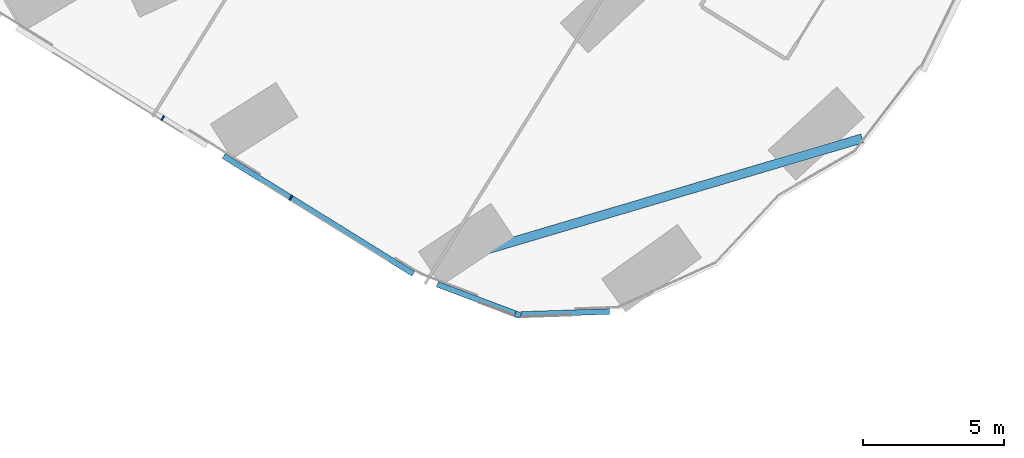
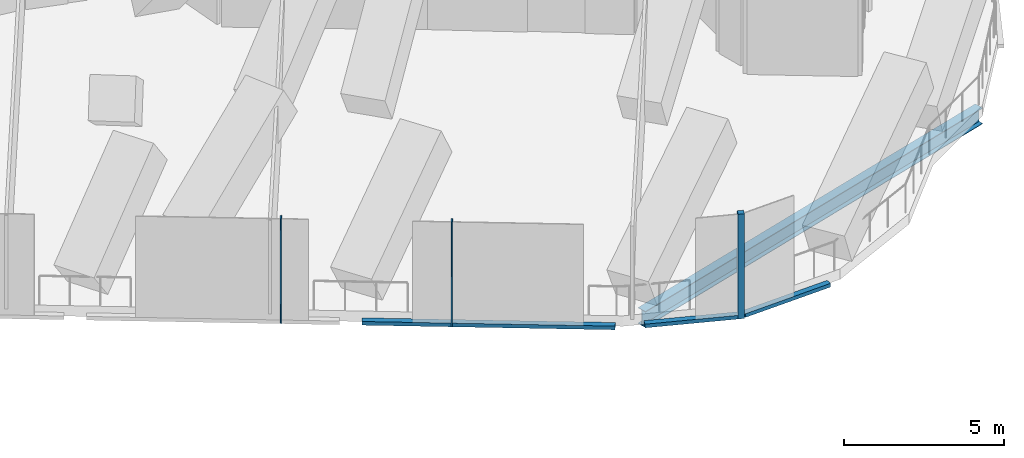
# One storey, part 7 of 31: 6 members, 1 beam, 3 elements without a shape of their own.
"""IFC4 building model written with IfcOpenShell, lengths in metres."""

from ifc_helpers import new_model, si_unit, direction, frame, origin, origin_2d, place, context, subcontext, project, spatial, rectangle, i_section, extrude, material, material_profile, profile_set, type_object, element, aggregate, save


model = new_model("IFC4")

# Units and contexts
model_context = context("Model", 3, precision=1e-05, world=origin(), true_north=direction((0.0, 1.0)))
body_context = subcontext(model_context, "Body", "Model", "MODEL_VIEW")
ifc_project = project(units=[si_unit("LENGTHUNIT", "METRE"), si_unit("AREAUNIT", "SQUARE_METRE"), si_unit("VOLUMEUNIT", "CUBIC_METRE"), si_unit("PLANEANGLEUNIT", "RADIAN"), si_unit("MASSUNIT", "GRAM", prefix="KILO")], contexts=[model_context])

# Site, building, storey
site_placement = place(None, origin())
site = spatial("IfcSite", under=ifc_project, at=site_placement, CompositionType="ELEMENT")
building_placement = place(site_placement, origin())
building = spatial("IfcBuilding", under=site, at=building_placement, Name="Orlundy Tower", CompositionType="ELEMENT")
storey_placement = place(building_placement, frame((0.0, 0.0, 54.800048828125)))
storey = spatial("IfcBuildingStorey", under=building, at=storey_placement, Name="L12", CompositionType="ELEMENT", Elevation=54.800048828125)

# Beam
ifc_material_1 = material(Name="Steel ASTM A992 Gr 50", Category="steel")
ifc_material_profile_1 = material_profile(ifc_material_1, i_section(OverallWidth=0.32373046875, OverallDepth=0.611083984375, WebThickness=0.0126953125, FlangeThickness=0.01904296875, at=origin_2d()), Name="W24X104")
ifc_profile_set_1 = profile_set([ifc_material_profile_1], Name="Steel ASTM A992 Gr 50")
beam_type = type_object("IfcBeamType", Name="CANTILEVER GIRDER beam W24X104", PredefinedType="BEAM", material=ifc_profile_set_1)
beam_placement = place(storey_placement, frame((47.6005859375, -38.515869140625, -0.70556640625), z_axis=(-0.958892344497, -0.283770103543, 0.0), x_axis=(0.283770103543, -0.958892344497, 0.0)))
element("IfcBeam", 1, at=beam_placement, inside=storey, type_object=beam_type, Name="Cantilever girder C-A2-5 L12", PredefinedType="BEAM", context=body_context, shape_type="SweptSolid", body=[
    extrude(i_section(OverallWidth=0.32373046875, OverallDepth=0.611083984375, WebThickness=0.0126953125, FlangeThickness=0.01904296875, at=origin_2d()), origin(), (0.0, 0.0, 1.0), 15.333984375),
])

# Curtain wall, member
ifc_material_2 = material(Name="Aluminium bronze anodised", Category="aluminium")
curtain_wall_type = type_object("IfcCurtainWallType", Name="CW5 wall", PredefinedType="NOTDEFINED", material=ifc_material_2)
curtain_wall_1_placement = place(storey_placement, origin())
curtain_wall_1 = element("IfcCurtainWall", 2, at=curtain_wall_1_placement, inside=storey, type_object=curtain_wall_type, Name="CW5 run 040", PredefinedType="NOTDEFINED")
ifc_material_3 = material(Name="Aluminium bronze anodised", Category="aluminium")
ifc_material_profile_2 = material_profile(ifc_material_3, rectangle(XDim=0.199951171875, YDim=0.199951171875, at=origin_2d()), Name="CW5 corner post 200x200")
ifc_profile_set_2 = profile_set([ifc_material_profile_2], Name="Aluminium bronze anodised")
member_type_1 = type_object("IfcMemberType", Name="CW5 corner post 200x200", PredefinedType="MULLION", material=ifc_profile_set_2)
member_1_placement = place(storey_placement, frame((35.383544921875, -44.767578125, -0.400146484375), z_axis=(0.0, 0.0, 1.0), x_axis=(-0.351537332791, -0.936173864009, 0.0)))
member_1 = element("IfcMember", 3, at=member_1_placement, type_object=member_type_1, Name="CW5 mullion 69", PredefinedType="MULLION", context=body_context, shape_type="SweptSolid", body=[
    extrude(rectangle(XDim=0.199951171875, YDim=0.199951171875, at=origin_2d()), origin(), (0.0, 0.0, 1.0), 4.0),
])

# Curtain wall, members
curtain_wall_2_placement = place(storey_placement, origin())
curtain_wall_2 = element("IfcCurtainWall", 4, at=curtain_wall_2_placement, inside=storey, type_object=curtain_wall_type, Name="CW5 run 041", PredefinedType="NOTDEFINED")
ifc_material_4 = material(Name="Aluminium bronze anodised", Category="aluminium")
ifc_material_profile_3 = material_profile(ifc_material_4, rectangle(XDim=0.199951171875, YDim=0.050048828125, at=origin_2d()), Name="CW5 mullion 50x200")
ifc_profile_set_3 = profile_set([ifc_material_profile_3], Name="Aluminium bronze anodised")
member_type_2 = type_object("IfcMemberType", Name="CW5 mullion 50x200", PredefinedType="MULLION", material=ifc_profile_set_3)
member_2_placement = place(storey_placement, frame((27.326171875, -40.62353515625, -0.400146484375), z_axis=(0.0, 0.0, 1.0), x_axis=(-0.52744929328, -0.849586512969, 0.0)))
member_2 = element("IfcMember", 5, at=member_2_placement, type_object=member_type_2, Name="CW5 mullion 71", PredefinedType="MULLION", context=body_context, shape_type="SweptSolid", body=[
    extrude(rectangle(XDim=0.199951171875, YDim=0.050048828125, at=origin_2d()), origin(), (0.0, 0.0, 1.0), 4.0),
])
member_3_placement = place(storey_placement, frame((22.775146484375, -37.798095703125, -0.400146484375), z_axis=(0.0, 0.0, 1.0), x_axis=(-0.52744929328, -0.849586512969, 0.0)))
member_3 = element("IfcMember", 6, at=member_3_placement, type_object=member_type_2, Name="CW5 mullion 72", PredefinedType="MULLION", context=body_context, shape_type="SweptSolid", body=[
    extrude(rectangle(XDim=0.199951171875, YDim=0.050048828125, at=origin_2d()), origin(), (0.0, 0.0, 1.0), 4.0),
])

# Curtain wall, member
curtain_wall_3_placement = place(storey_placement, origin())
curtain_wall_3 = element("IfcCurtainWall", 7, at=curtain_wall_3_placement, inside=storey, type_object=curtain_wall_type, Name="CW5 run 039", PredefinedType="NOTDEFINED")
ifc_material_5 = material(Name="Aluminium bronze anodised", Category="aluminium")
ifc_material_profile_4 = material_profile(ifc_material_5, rectangle(XDim=0.199951171875, YDim=0.139892578125, at=origin_2d()), Name="CW5 transom 200x140")
ifc_profile_set_4 = profile_set([ifc_material_profile_4], Name="Aluminium bronze anodised")
member_type_3 = type_object("IfcMemberType", Name="CW5 transom 200x140", PredefinedType="USERDEFINED", material=ifc_profile_set_4)
member_4_placement = place(storey_placement, frame((38.628662109375, -44.658935546875, -0.330078125), z_axis=(-0.99944049541, -0.033446915171, 0.0), x_axis=(0.033446915171, -0.99944049541, 0.0)))
member_4 = element("IfcMember", 8, at=member_4_placement, type_object=member_type_3, Name="CW5 transom", ObjectType="TRANSOM", PredefinedType="USERDEFINED", context=body_context, shape_type="SweptSolid", body=[
    extrude(rectangle(XDim=0.199951171875, YDim=0.139892578125, at=origin_2d()), origin(), (0.0, 0.0, 1.0), 3.138671875),
])
aggregate(curtain_wall_3, [member_4])

# Member
member_5_placement = place(storey_placement, frame((35.289794921875, -44.732421875, -0.330078125), z_axis=(-0.936162965641, 0.351566354706, 0.0), x_axis=(-0.351566354706, -0.936162965641, 0.0)))
member_5 = element("IfcMember", 9, at=member_5_placement, type_object=member_type_3, Name="CW5 transom", ObjectType="TRANSOM", PredefinedType="USERDEFINED", context=body_context, shape_type="SweptSolid", body=[
    extrude(rectangle(XDim=0.199951171875, YDim=0.139892578125, at=origin_2d()), origin(), (0.0, 0.0, 1.0), 2.959716796875),
])

aggregate(curtain_wall_1, [member_1, member_5])

member_6_placement = place(storey_placement, frame((31.675048828125, -43.323486328125, -0.330078125), z_axis=(-0.849589261428, 0.527444866186, 0.0), x_axis=(-0.527444866186, -0.849589261428, 0.0)))
member_6 = element("IfcMember", 10, at=member_6_placement, type_object=member_type_3, Name="CW5 transom", ObjectType="TRANSOM", PredefinedType="USERDEFINED", context=body_context, shape_type="SweptSolid", body=[
    extrude(rectangle(XDim=0.199951171875, YDim=0.139892578125, at=origin_2d()), origin(), (0.0, 0.0, 1.0), 7.929443359375),
])

aggregate(curtain_wall_2, [member_2, member_3, member_6])

save(model, "model.ifc")
